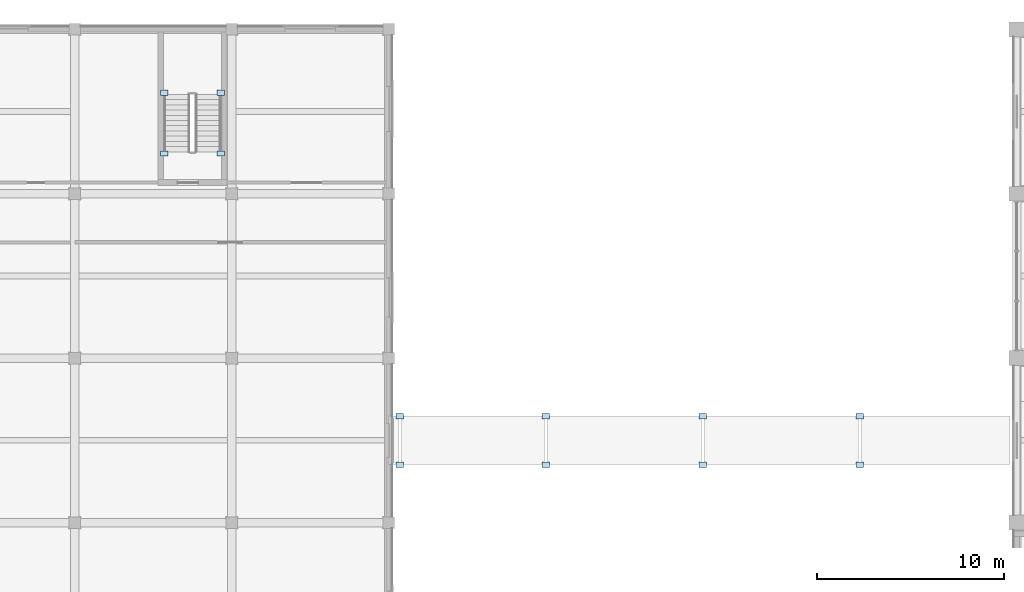
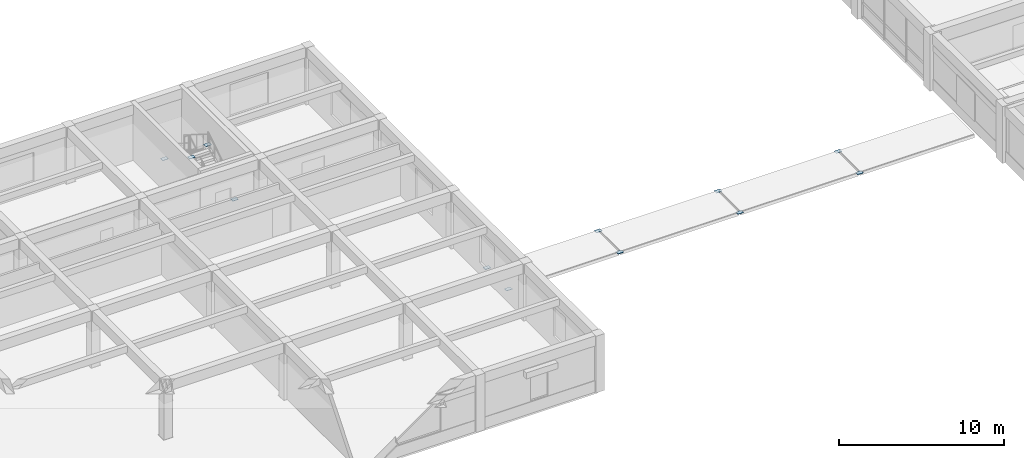
# One storey, part 29 of 46: 12 plates.
"""IFC4 building model written with IfcOpenShell, lengths in metres."""

from ifc_helpers import new_model, si_unit, direction, frame, origin, origin_2d, place, context, subcontext, project, spatial, rectangle, extrude, material, layer, layer_set, type_object, element, save


model = new_model("IFC4")

# Units and contexts
model_context = context("Model", 3, precision=1e-05, world=origin(), true_north=direction((0.0, 1.0)))
body_context = subcontext(model_context, "Body", "Model", "MODEL_VIEW")
ifc_project = project(units=[si_unit("LENGTHUNIT", "METRE"), si_unit("AREAUNIT", "SQUARE_METRE"), si_unit("VOLUMEUNIT", "CUBIC_METRE"), si_unit("PLANEANGLEUNIT", "RADIAN"), si_unit("MASSUNIT", "GRAM", prefix="KILO")], contexts=[model_context])

# Site, building, storey
site_placement = place(None, origin())
site = spatial("IfcSite", under=ifc_project, at=site_placement, CompositionType="ELEMENT")
building_placement = place(site_placement, origin())
building = spatial("IfcBuilding", under=site, at=building_placement, Name="Kemercrest Conservatory and Botanical Centre", CompositionType="ELEMENT")
storey_placement = place(building_placement, frame((0.0, 0.0, 9.0)))
storey = spatial("IfcBuildingStorey", under=building, at=storey_placement, Name="L02", CompositionType="ELEMENT", Elevation=9.0)

# Plates
ifc_material = material(Name="Steel CSA G40.21 350W", Category="steel")
ifc_layer = layer(ifc_material, 0.030029296875)
ifc_layer_set = layer_set([ifc_layer], Name="Steel CSA G40.21 350W")
plate_type = type_object("IfcPlateType", Name="GN-05", PredefinedType="USERDEFINED", material=ifc_layer_set)
for number, where, z_axis, x_axis, name in (
    (1, (92.60009765625, 99.10009765625, -0.01513671875), (0.0, 0.0, 1.0), (1.0, 0.0, 0.0), "Bridge column cap plate GN-05 SJ-3"),
    (2, (92.60009765625, 101.699951171875, -0.01513671875), (0.0, 0.0, 1.0), (1.0, 0.0, 0.0), "Bridge column cap plate GN-05 SJ-3"),
    (3, (100.39990234375, 99.10009765625, -0.01513671875), (0.0, 0.0, 1.0), (1.0, 0.0, 0.0), "Bridge column cap plate GN-05 SJ-3"),
    (4, (100.39990234375, 101.699951171875, -0.01513671875), (0.0, 0.0, 1.0), (1.0, 0.0, 0.0), "Bridge column cap plate GN-05 SJ-3"),
    (5, (108.800048828125, 99.10009765625, -0.01513671875), (0.0, 0.0, 1.0), (1.0, 0.0, 0.0), "Bridge column cap plate GN-05 SJ-3"),
    (6, (108.800048828125, 101.699951171875, -0.01513671875), (0.0, 0.0, 1.0), (1.0, 0.0, 0.0), "Bridge column cap plate GN-05 SJ-3"),
    (7, (117.199951171875, 99.10009765625, -0.01513671875), (0.0, 0.0, 1.0), (1.0, 0.0, 0.0), "Bridge column cap plate GN-05 SJ-3"),
    (8, (117.199951171875, 101.699951171875, -0.01513671875), (0.0, 0.0, 1.0), (1.0, 0.0, 0.0), "Bridge column cap plate GN-05 SJ-3"),
    (9, (83.010009765625, 115.760009765625, -0.115234375), (0.0, 0.0, 1.0), (1.0, 0.0, 0.0), "Stair stringer base node cap GN-05 #35"),
    (10, (83.010009765625, 119.0, 1.96484375), (0.0, 0.0, 1.0), (1.0, 0.0, 0.0), "Stair stringer head node cap GN-05 #35"),
    (11, (79.989990234375, 115.760009765625, 4.06494140625), (0.0, 0.0, 1.0), (1.0, 0.0, 0.0), "Stair stringer base node cap GN-05 #36"),
    (12, (79.989990234375, 119.0, 1.98486328125), (0.0, 0.0, 1.0), (1.0, 0.0, 0.0), "Stair stringer head node cap GN-05 #36"),
):
    element("IfcPlate", number, at=place(storey_placement, frame(where, z_axis=z_axis, x_axis=x_axis)), inside=storey, type_object=plate_type, Name=name, ObjectType="GUSSET PLATE", PredefinedType="USERDEFINED", context=body_context, shape_type="SweptSolid", body=[
        extrude(rectangle(XDim=0.39990234375, YDim=0.280029296875, at=origin_2d()), origin(), (0.0, 0.0, 1.0), 0.030029296875),
    ])

save(model, "model.ifc")
